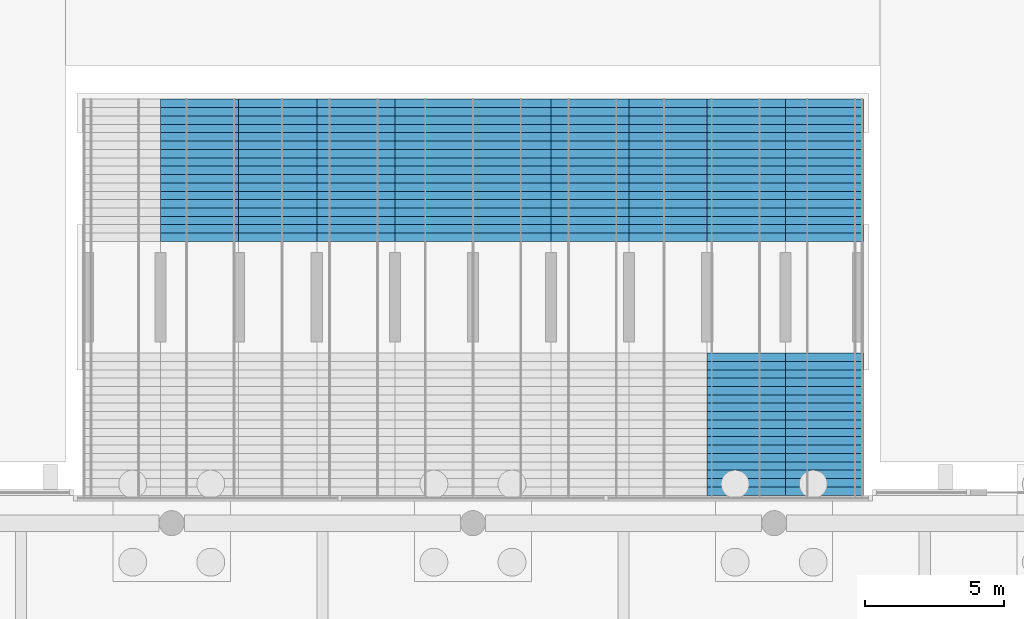
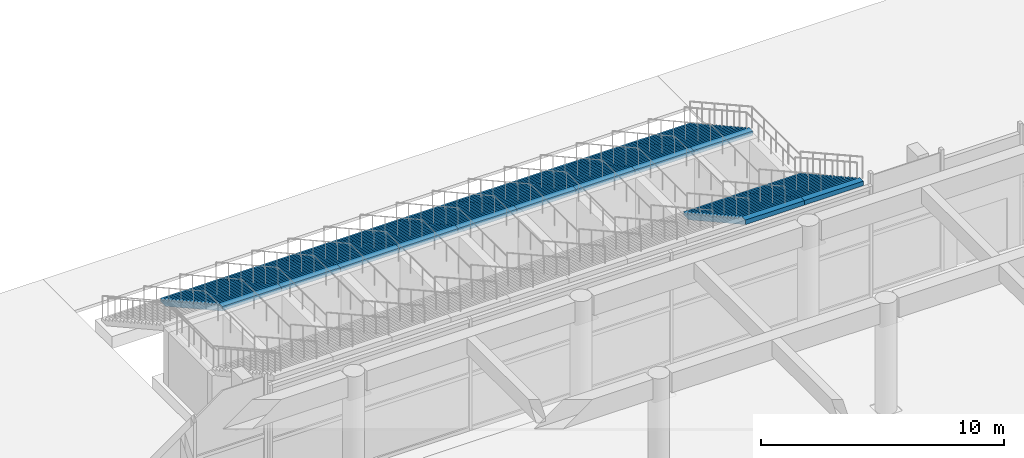
# One storey, part 24 of 32: 11 stair flights, 9 elements without a shape of their own.
"""IFC4 building model written with IfcOpenShell, lengths in metres."""

from ifc_helpers import new_model, si_unit, direction, frame, origin, place, context, subcontext, project, spatial, polyline, outline, extrude, material, type_object, element, aggregate, save


model = new_model("IFC4")

# Units and contexts
model_context = context("Model", 3, precision=1e-05, world=origin(), true_north=direction((0.0, 1.0)))
body_context = subcontext(model_context, "Body", "Model", "MODEL_VIEW")
ifc_project = project(units=[si_unit("LENGTHUNIT", "METRE"), si_unit("AREAUNIT", "SQUARE_METRE"), si_unit("VOLUMEUNIT", "CUBIC_METRE"), si_unit("PLANEANGLEUNIT", "RADIAN"), si_unit("MASSUNIT", "GRAM", prefix="KILO")], contexts=[model_context])

# Site, building, storey
site_placement = place(None, origin())
site = spatial("IfcSite", under=ifc_project, at=site_placement, CompositionType="ELEMENT")
building_placement = place(site_placement, origin())
building = spatial("IfcBuilding", under=site, at=building_placement, Name="Quipu Civic Tower", CompositionType="ELEMENT")
storey_placement = place(building_placement, origin())
storey = spatial("IfcBuildingStorey", under=building, at=storey_placement, Name="L00", CompositionType="ELEMENT", Elevation=0.0)

# Stair, stair flight
ifc_material_1 = material(Name="Concrete C40/50", Category="concrete")
stair_type = type_object("IfcStairType", Name="Broad stair 2800", PredefinedType="STRAIGHT_RUN_STAIR", material=ifc_material_1)
stair_1_placement = place(storey_placement, origin())
stair_1 = element("IfcStair", 1, at=stair_1_placement, inside=storey, type_object=stair_type, Name="Broad garden stair", PredefinedType="STRAIGHT_RUN_STAIR")
ifc_material_2 = material(Name="Concrete C40/50", Category="concrete")
stair_flight_type = type_object("IfcStairFlightType", Name="Broad stair flight 2800", PredefinedType="STRAIGHT", material=ifc_material_2)
stair_flight_1_placement = place(storey_placement, frame((-9.800048828125, 70.199951171875, 0.0), z_axis=(0.0, 0.0, 1.0), x_axis=(0.0, -1.0, 0.0)))
stair_flight_1 = element("IfcStairFlight", 2, at=stair_flight_1_placement, type_object=stair_flight_type, Name="BS2 flight 1", NumberOfRisers=18, NumberOfTreads=17, PredefinedType="STRAIGHT", RiserHeight=0.166666667, TreadLength=0.3, context=body_context, shape_type="SweptSolid", body=[
    extrude(outline(polyline([(0.0, 0.0), (0.0, 0.166748046875), (0.300048828125, 0.166748046875), (0.300048828125, 0.333251953125), (0.60009765625, 0.333251953125), (0.60009765625, 0.5), (0.89990234375, 0.5), (0.89990234375, 0.666748046875), (1.199951171875, 0.666748046875), (1.199951171875, 0.833251953125), (1.5, 0.833251953125), (1.5, 1.0), (1.800048828125, 1.0), (1.800048828125, 1.166748046875), (2.10009765625, 1.166748046875), (2.10009765625, 1.333251953125), (2.39990234375, 1.333251953125), (2.39990234375, 1.5), (2.699951171875, 1.5), (2.699951171875, 1.666748046875), (3.0, 1.666748046875), (3.0, 1.833251953125), (3.300048828125, 1.833251953125), (3.300048828125, 2.0), (3.60009765625, 2.0), (3.60009765625, 2.166748046875), (3.89990234375, 2.166748046875), (3.89990234375, 2.333251953125), (4.199951171875, 2.333251953125), (4.199951171875, 2.5), (4.5, 2.5), (4.5, 2.666748046875), (4.800048828125, 2.666748046875), (4.800048828125, 2.833251953125), (5.10009765625, 2.833251953125), (5.10009765625, 3.0), (5.10009765625, 2.6044921875), (0.41162109375, 0.0), (0.0, 0.0)])), frame((0.0, 1.39990234375, 0.0), z_axis=(0.0, -1.0, 0.0), x_axis=(1.0, 0.0, 0.0)), (0.0, 0.0, 1.0), 2.800048828125),
])
aggregate(stair_1, [stair_flight_1])

stair_2_placement = place(storey_placement, origin())
stair_2 = element("IfcStair", 3, at=stair_2_placement, inside=storey, type_object=stair_type, Name="Broad garden stair", PredefinedType="STRAIGHT_RUN_STAIR")
stair_flight_2_placement = place(storey_placement, frame((-7.0, 70.199951171875, 0.0), z_axis=(0.0, 0.0, 1.0), x_axis=(0.0, -1.0, 0.0)))
stair_flight_2 = element("IfcStairFlight", 4, at=stair_flight_2_placement, type_object=stair_flight_type, Name="BS3 flight 1", NumberOfRisers=18, NumberOfTreads=17, PredefinedType="STRAIGHT", RiserHeight=0.166666667, TreadLength=0.3, context=body_context, shape_type="SweptSolid", body=[
    extrude(outline(polyline([(0.0, 0.0), (0.0, 0.166748046875), (0.300048828125, 0.166748046875), (0.300048828125, 0.333251953125), (0.60009765625, 0.333251953125), (0.60009765625, 0.5), (0.89990234375, 0.5), (0.89990234375, 0.666748046875), (1.199951171875, 0.666748046875), (1.199951171875, 0.833251953125), (1.5, 0.833251953125), (1.5, 1.0), (1.800048828125, 1.0), (1.800048828125, 1.166748046875), (2.10009765625, 1.166748046875), (2.10009765625, 1.333251953125), (2.39990234375, 1.333251953125), (2.39990234375, 1.5), (2.699951171875, 1.5), (2.699951171875, 1.666748046875), (3.0, 1.666748046875), (3.0, 1.833251953125), (3.300048828125, 1.833251953125), (3.300048828125, 2.0), (3.60009765625, 2.0), (3.60009765625, 2.166748046875), (3.89990234375, 2.166748046875), (3.89990234375, 2.333251953125), (4.199951171875, 2.333251953125), (4.199951171875, 2.5), (4.5, 2.5), (4.5, 2.666748046875), (4.800048828125, 2.666748046875), (4.800048828125, 2.833251953125), (5.10009765625, 2.833251953125), (5.10009765625, 3.0), (5.10009765625, 2.6044921875), (0.41162109375, 0.0), (0.0, 0.0)])), frame((0.0, 1.39990234375, 0.0), z_axis=(0.0, -1.0, 0.0), x_axis=(1.0, 0.0, 0.0)), (0.0, 0.0, 1.0), 2.800048828125),
])
aggregate(stair_2, [stair_flight_2])

stair_3_placement = place(storey_placement, origin())
stair_3 = element("IfcStair", 5, at=stair_3_placement, inside=storey, type_object=stair_type, Name="Broad garden stair", PredefinedType="STRAIGHT_RUN_STAIR")
stair_flight_3_placement = place(storey_placement, frame((-4.199951171875, 70.199951171875, 0.0), z_axis=(0.0, 0.0, 1.0), x_axis=(0.0, -1.0, 0.0)))
stair_flight_3 = element("IfcStairFlight", 6, at=stair_flight_3_placement, type_object=stair_flight_type, Name="BS4 flight 1", NumberOfRisers=18, NumberOfTreads=17, PredefinedType="STRAIGHT", RiserHeight=0.166666667, TreadLength=0.3, context=body_context, shape_type="SweptSolid", body=[
    extrude(outline(polyline([(0.0, 0.0), (0.0, 0.166748046875), (0.300048828125, 0.166748046875), (0.300048828125, 0.333251953125), (0.60009765625, 0.333251953125), (0.60009765625, 0.5), (0.89990234375, 0.5), (0.89990234375, 0.666748046875), (1.199951171875, 0.666748046875), (1.199951171875, 0.833251953125), (1.5, 0.833251953125), (1.5, 1.0), (1.800048828125, 1.0), (1.800048828125, 1.166748046875), (2.10009765625, 1.166748046875), (2.10009765625, 1.333251953125), (2.39990234375, 1.333251953125), (2.39990234375, 1.5), (2.699951171875, 1.5), (2.699951171875, 1.666748046875), (3.0, 1.666748046875), (3.0, 1.833251953125), (3.300048828125, 1.833251953125), (3.300048828125, 2.0), (3.60009765625, 2.0), (3.60009765625, 2.166748046875), (3.89990234375, 2.166748046875), (3.89990234375, 2.333251953125), (4.199951171875, 2.333251953125), (4.199951171875, 2.5), (4.5, 2.5), (4.5, 2.666748046875), (4.800048828125, 2.666748046875), (4.800048828125, 2.833251953125), (5.10009765625, 2.833251953125), (5.10009765625, 3.0), (5.10009765625, 2.6044921875), (0.41162109375, 0.0), (0.0, 0.0)])), frame((0.0, 1.39990234375, 0.0), z_axis=(0.0, -1.0, 0.0), x_axis=(1.0, 0.0, 0.0)), (0.0, 0.0, 1.0), 2.800048828125),
])
aggregate(stair_3, [stair_flight_3])

stair_4_placement = place(storey_placement, origin())
stair_4 = element("IfcStair", 7, at=stair_4_placement, inside=storey, type_object=stair_type, Name="Broad garden stair", PredefinedType="STRAIGHT_RUN_STAIR")
stair_flight_4_placement = place(storey_placement, frame((-1.39990234375, 70.199951171875, 0.0), z_axis=(0.0, 0.0, 1.0), x_axis=(0.0, -1.0, 0.0)))
stair_flight_4 = element("IfcStairFlight", 8, at=stair_flight_4_placement, type_object=stair_flight_type, Name="BS5 flight 1", NumberOfRisers=18, NumberOfTreads=17, PredefinedType="STRAIGHT", RiserHeight=0.166666667, TreadLength=0.3, context=body_context, shape_type="SweptSolid", body=[
    extrude(outline(polyline([(0.0, 0.0), (0.0, 0.166748046875), (0.300048828125, 0.166748046875), (0.300048828125, 0.333251953125), (0.60009765625, 0.333251953125), (0.60009765625, 0.5), (0.89990234375, 0.5), (0.89990234375, 0.666748046875), (1.199951171875, 0.666748046875), (1.199951171875, 0.833251953125), (1.5, 0.833251953125), (1.5, 1.0), (1.800048828125, 1.0), (1.800048828125, 1.166748046875), (2.10009765625, 1.166748046875), (2.10009765625, 1.333251953125), (2.39990234375, 1.333251953125), (2.39990234375, 1.5), (2.699951171875, 1.5), (2.699951171875, 1.666748046875), (3.0, 1.666748046875), (3.0, 1.833251953125), (3.300048828125, 1.833251953125), (3.300048828125, 2.0), (3.60009765625, 2.0), (3.60009765625, 2.166748046875), (3.89990234375, 2.166748046875), (3.89990234375, 2.333251953125), (4.199951171875, 2.333251953125), (4.199951171875, 2.5), (4.5, 2.5), (4.5, 2.666748046875), (4.800048828125, 2.666748046875), (4.800048828125, 2.833251953125), (5.10009765625, 2.833251953125), (5.10009765625, 3.0), (5.10009765625, 2.6044921875), (0.41162109375, 0.0), (0.0, 0.0)])), frame((0.0, 1.39990234375, 0.0), z_axis=(0.0, -1.0, 0.0), x_axis=(1.0, 0.0, 0.0)), (0.0, 0.0, 1.0), 2.800048828125),
])
aggregate(stair_4, [stair_flight_4])

stair_5_placement = place(storey_placement, origin())
stair_5 = element("IfcStair", 9, at=stair_5_placement, inside=storey, type_object=stair_type, Name="Broad garden stair", PredefinedType="STRAIGHT_RUN_STAIR")
stair_flight_5_placement = place(storey_placement, frame((1.39990234375, 70.199951171875, 0.0), z_axis=(0.0, 0.0, 1.0), x_axis=(0.0, -1.0, 0.0)))
stair_flight_5 = element("IfcStairFlight", 10, at=stair_flight_5_placement, type_object=stair_flight_type, Name="BS6 flight 1", NumberOfRisers=18, NumberOfTreads=17, PredefinedType="STRAIGHT", RiserHeight=0.166666667, TreadLength=0.3, context=body_context, shape_type="SweptSolid", body=[
    extrude(outline(polyline([(0.0, 0.0), (0.0, 0.166748046875), (0.300048828125, 0.166748046875), (0.300048828125, 0.333251953125), (0.60009765625, 0.333251953125), (0.60009765625, 0.5), (0.89990234375, 0.5), (0.89990234375, 0.666748046875), (1.199951171875, 0.666748046875), (1.199951171875, 0.833251953125), (1.5, 0.833251953125), (1.5, 1.0), (1.800048828125, 1.0), (1.800048828125, 1.166748046875), (2.10009765625, 1.166748046875), (2.10009765625, 1.333251953125), (2.39990234375, 1.333251953125), (2.39990234375, 1.5), (2.699951171875, 1.5), (2.699951171875, 1.666748046875), (3.0, 1.666748046875), (3.0, 1.833251953125), (3.300048828125, 1.833251953125), (3.300048828125, 2.0), (3.60009765625, 2.0), (3.60009765625, 2.166748046875), (3.89990234375, 2.166748046875), (3.89990234375, 2.333251953125), (4.199951171875, 2.333251953125), (4.199951171875, 2.5), (4.5, 2.5), (4.5, 2.666748046875), (4.800048828125, 2.666748046875), (4.800048828125, 2.833251953125), (5.10009765625, 2.833251953125), (5.10009765625, 3.0), (5.10009765625, 2.6044921875), (0.41162109375, 0.0), (0.0, 0.0)])), frame((0.0, 1.39990234375, 0.0), z_axis=(0.0, -1.0, 0.0), x_axis=(1.0, 0.0, 0.0)), (0.0, 0.0, 1.0), 2.800048828125),
])
aggregate(stair_5, [stair_flight_5])

stair_6_placement = place(storey_placement, origin())
stair_6 = element("IfcStair", 11, at=stair_6_placement, inside=storey, type_object=stair_type, Name="Broad garden stair", PredefinedType="STRAIGHT_RUN_STAIR")
stair_flight_6_placement = place(storey_placement, frame((4.199951171875, 70.199951171875, 0.0), z_axis=(0.0, 0.0, 1.0), x_axis=(0.0, -1.0, 0.0)))
stair_flight_6 = element("IfcStairFlight", 12, at=stair_flight_6_placement, type_object=stair_flight_type, Name="BS7 flight 1", NumberOfRisers=18, NumberOfTreads=17, PredefinedType="STRAIGHT", RiserHeight=0.166666667, TreadLength=0.3, context=body_context, shape_type="SweptSolid", body=[
    extrude(outline(polyline([(0.0, 0.0), (0.0, 0.166748046875), (0.300048828125, 0.166748046875), (0.300048828125, 0.333251953125), (0.60009765625, 0.333251953125), (0.60009765625, 0.5), (0.89990234375, 0.5), (0.89990234375, 0.666748046875), (1.199951171875, 0.666748046875), (1.199951171875, 0.833251953125), (1.5, 0.833251953125), (1.5, 1.0), (1.800048828125, 1.0), (1.800048828125, 1.166748046875), (2.10009765625, 1.166748046875), (2.10009765625, 1.333251953125), (2.39990234375, 1.333251953125), (2.39990234375, 1.5), (2.699951171875, 1.5), (2.699951171875, 1.666748046875), (3.0, 1.666748046875), (3.0, 1.833251953125), (3.300048828125, 1.833251953125), (3.300048828125, 2.0), (3.60009765625, 2.0), (3.60009765625, 2.166748046875), (3.89990234375, 2.166748046875), (3.89990234375, 2.333251953125), (4.199951171875, 2.333251953125), (4.199951171875, 2.5), (4.5, 2.5), (4.5, 2.666748046875), (4.800048828125, 2.666748046875), (4.800048828125, 2.833251953125), (5.10009765625, 2.833251953125), (5.10009765625, 3.0), (5.10009765625, 2.6044921875), (0.41162109375, 0.0), (0.0, 0.0)])), frame((0.0, 1.39990234375, 0.0), z_axis=(0.0, -1.0, 0.0), x_axis=(1.0, 0.0, 0.0)), (0.0, 0.0, 1.0), 2.800048828125),
])
aggregate(stair_6, [stair_flight_6])

stair_7_placement = place(storey_placement, origin())
stair_7 = element("IfcStair", 13, at=stair_7_placement, inside=storey, type_object=stair_type, Name="Broad garden stair", PredefinedType="STRAIGHT_RUN_STAIR")
stair_flight_7_placement = place(storey_placement, frame((7.0, 70.199951171875, 0.0), z_axis=(0.0, 0.0, 1.0), x_axis=(0.0, -1.0, 0.0)))
stair_flight_7 = element("IfcStairFlight", 14, at=stair_flight_7_placement, type_object=stair_flight_type, Name="BS8 flight 1", NumberOfRisers=18, NumberOfTreads=17, PredefinedType="STRAIGHT", RiserHeight=0.166666667, TreadLength=0.3, context=body_context, shape_type="SweptSolid", body=[
    extrude(outline(polyline([(0.0, 0.0), (0.0, 0.166748046875), (0.300048828125, 0.166748046875), (0.300048828125, 0.333251953125), (0.60009765625, 0.333251953125), (0.60009765625, 0.5), (0.89990234375, 0.5), (0.89990234375, 0.666748046875), (1.199951171875, 0.666748046875), (1.199951171875, 0.833251953125), (1.5, 0.833251953125), (1.5, 1.0), (1.800048828125, 1.0), (1.800048828125, 1.166748046875), (2.10009765625, 1.166748046875), (2.10009765625, 1.333251953125), (2.39990234375, 1.333251953125), (2.39990234375, 1.5), (2.699951171875, 1.5), (2.699951171875, 1.666748046875), (3.0, 1.666748046875), (3.0, 1.833251953125), (3.300048828125, 1.833251953125), (3.300048828125, 2.0), (3.60009765625, 2.0), (3.60009765625, 2.166748046875), (3.89990234375, 2.166748046875), (3.89990234375, 2.333251953125), (4.199951171875, 2.333251953125), (4.199951171875, 2.5), (4.5, 2.5), (4.5, 2.666748046875), (4.800048828125, 2.666748046875), (4.800048828125, 2.833251953125), (5.10009765625, 2.833251953125), (5.10009765625, 3.0), (5.10009765625, 2.6044921875), (0.41162109375, 0.0), (0.0, 0.0)])), frame((0.0, 1.39990234375, 0.0), z_axis=(0.0, -1.0, 0.0), x_axis=(1.0, 0.0, 0.0)), (0.0, 0.0, 1.0), 2.800048828125),
])
aggregate(stair_7, [stair_flight_7])

# Stair, stair flights
stair_8_placement = place(storey_placement, origin())
stair_8 = element("IfcStair", 15, at=stair_8_placement, inside=storey, type_object=stair_type, Name="Broad garden stair", PredefinedType="STRAIGHT_RUN_STAIR")
stair_flight_8_placement = place(storey_placement, frame((9.800048828125, 70.199951171875, 0.0), z_axis=(0.0, 0.0, 1.0), x_axis=(0.0, -1.0, 0.0)))
stair_flight_8 = element("IfcStairFlight", 16, at=stair_flight_8_placement, type_object=stair_flight_type, Name="BS9 flight 1", NumberOfRisers=18, NumberOfTreads=17, PredefinedType="STRAIGHT", RiserHeight=0.166666667, TreadLength=0.3, context=body_context, shape_type="SweptSolid", body=[
    extrude(outline(polyline([(0.0, 0.0), (0.0, 0.166748046875), (0.300048828125, 0.166748046875), (0.300048828125, 0.333251953125), (0.60009765625, 0.333251953125), (0.60009765625, 0.5), (0.89990234375, 0.5), (0.89990234375, 0.666748046875), (1.199951171875, 0.666748046875), (1.199951171875, 0.833251953125), (1.5, 0.833251953125), (1.5, 1.0), (1.800048828125, 1.0), (1.800048828125, 1.166748046875), (2.10009765625, 1.166748046875), (2.10009765625, 1.333251953125), (2.39990234375, 1.333251953125), (2.39990234375, 1.5), (2.699951171875, 1.5), (2.699951171875, 1.666748046875), (3.0, 1.666748046875), (3.0, 1.833251953125), (3.300048828125, 1.833251953125), (3.300048828125, 2.0), (3.60009765625, 2.0), (3.60009765625, 2.166748046875), (3.89990234375, 2.166748046875), (3.89990234375, 2.333251953125), (4.199951171875, 2.333251953125), (4.199951171875, 2.5), (4.5, 2.5), (4.5, 2.666748046875), (4.800048828125, 2.666748046875), (4.800048828125, 2.833251953125), (5.10009765625, 2.833251953125), (5.10009765625, 3.0), (5.10009765625, 2.6044921875), (0.41162109375, 0.0), (0.0, 0.0)])), frame((0.0, 1.39990234375, 0.0), z_axis=(0.0, -1.0, 0.0), x_axis=(1.0, 0.0, 0.0)), (0.0, 0.0, 1.0), 2.800048828125),
])
stair_flight_9_placement = place(storey_placement, frame((9.800048828125, 61.10009765625, 3.0), z_axis=(0.0, 0.0, 1.0), x_axis=(0.0, -1.0, 0.0)))
stair_flight_9 = element("IfcStairFlight", 17, at=stair_flight_9_placement, type_object=stair_flight_type, Name="BS9 flight 2", NumberOfRisers=18, NumberOfTreads=17, PredefinedType="STRAIGHT", RiserHeight=0.166666667, TreadLength=0.3, context=body_context, shape_type="SweptSolid", body=[
    extrude(outline(polyline([(0.0, 0.0), (0.0, 0.166748046875), (0.300048828125, 0.166748046875), (0.300048828125, 0.333251953125), (0.60009765625, 0.333251953125), (0.60009765625, 0.5), (0.89990234375, 0.5), (0.89990234375, 0.666748046875), (1.199951171875, 0.666748046875), (1.199951171875, 0.833251953125), (1.5, 0.833251953125), (1.5, 1.0), (1.800048828125, 1.0), (1.800048828125, 1.166748046875), (2.10009765625, 1.166748046875), (2.10009765625, 1.333251953125), (2.39990234375, 1.333251953125), (2.39990234375, 1.5), (2.699951171875, 1.5), (2.699951171875, 1.666748046875), (3.0, 1.666748046875), (3.0, 1.833251953125), (3.300048828125, 1.833251953125), (3.300048828125, 2.0), (3.60009765625, 2.0), (3.60009765625, 2.166748046875), (3.89990234375, 2.166748046875), (3.89990234375, 2.333251953125), (4.199951171875, 2.333251953125), (4.199951171875, 2.5), (4.5, 2.5), (4.5, 2.666748046875), (4.800048828125, 2.666748046875), (4.800048828125, 2.833251953125), (5.10009765625, 2.833251953125), (5.10009765625, 3.0), (5.10009765625, 2.6044921875), (0.41162109375, 0.0), (0.0, 0.0)])), frame((0.0, 1.39990234375, 0.0), z_axis=(0.0, -1.0, 0.0), x_axis=(1.0, 0.0, 0.0)), (0.0, 0.0, 1.0), 2.800048828125),
])
aggregate(stair_8, [stair_flight_8, stair_flight_9])

stair_9_placement = place(storey_placement, origin())
stair_9 = element("IfcStair", 18, at=stair_9_placement, inside=storey, type_object=stair_type, Name="Broad garden stair", PredefinedType="STRAIGHT_RUN_STAIR")
stair_flight_10_placement = place(storey_placement, frame((12.60009765625, 70.199951171875, 0.0), z_axis=(0.0, 0.0, 1.0), x_axis=(0.0, -1.0, 0.0)))
stair_flight_10 = element("IfcStairFlight", 19, at=stair_flight_10_placement, type_object=stair_flight_type, Name="BS10 flight 1", NumberOfRisers=18, NumberOfTreads=17, PredefinedType="STRAIGHT", RiserHeight=0.166666667, TreadLength=0.3, context=body_context, shape_type="SweptSolid", body=[
    extrude(outline(polyline([(0.0, 0.0), (0.0, 0.166748046875), (0.300048828125, 0.166748046875), (0.300048828125, 0.333251953125), (0.60009765625, 0.333251953125), (0.60009765625, 0.5), (0.89990234375, 0.5), (0.89990234375, 0.666748046875), (1.199951171875, 0.666748046875), (1.199951171875, 0.833251953125), (1.5, 0.833251953125), (1.5, 1.0), (1.800048828125, 1.0), (1.800048828125, 1.166748046875), (2.10009765625, 1.166748046875), (2.10009765625, 1.333251953125), (2.39990234375, 1.333251953125), (2.39990234375, 1.5), (2.699951171875, 1.5), (2.699951171875, 1.666748046875), (3.0, 1.666748046875), (3.0, 1.833251953125), (3.300048828125, 1.833251953125), (3.300048828125, 2.0), (3.60009765625, 2.0), (3.60009765625, 2.166748046875), (3.89990234375, 2.166748046875), (3.89990234375, 2.333251953125), (4.199951171875, 2.333251953125), (4.199951171875, 2.5), (4.5, 2.5), (4.5, 2.666748046875), (4.800048828125, 2.666748046875), (4.800048828125, 2.833251953125), (5.10009765625, 2.833251953125), (5.10009765625, 3.0), (5.10009765625, 2.6044921875), (0.41162109375, 0.0), (0.0, 0.0)])), frame((0.0, 1.39990234375, 0.0), z_axis=(0.0, -1.0, 0.0), x_axis=(1.0, 0.0, 0.0)), (0.0, 0.0, 1.0), 2.800048828125),
])
stair_flight_11_placement = place(storey_placement, frame((12.60009765625, 61.10009765625, 3.0), z_axis=(0.0, 0.0, 1.0), x_axis=(0.0, -1.0, 0.0)))
stair_flight_11 = element("IfcStairFlight", 20, at=stair_flight_11_placement, type_object=stair_flight_type, Name="BS10 flight 2", NumberOfRisers=18, NumberOfTreads=17, PredefinedType="STRAIGHT", RiserHeight=0.166666667, TreadLength=0.3, context=body_context, shape_type="SweptSolid", body=[
    extrude(outline(polyline([(0.0, 0.0), (0.0, 0.166748046875), (0.300048828125, 0.166748046875), (0.300048828125, 0.333251953125), (0.60009765625, 0.333251953125), (0.60009765625, 0.5), (0.89990234375, 0.5), (0.89990234375, 0.666748046875), (1.199951171875, 0.666748046875), (1.199951171875, 0.833251953125), (1.5, 0.833251953125), (1.5, 1.0), (1.800048828125, 1.0), (1.800048828125, 1.166748046875), (2.10009765625, 1.166748046875), (2.10009765625, 1.333251953125), (2.39990234375, 1.333251953125), (2.39990234375, 1.5), (2.699951171875, 1.5), (2.699951171875, 1.666748046875), (3.0, 1.666748046875), (3.0, 1.833251953125), (3.300048828125, 1.833251953125), (3.300048828125, 2.0), (3.60009765625, 2.0), (3.60009765625, 2.166748046875), (3.89990234375, 2.166748046875), (3.89990234375, 2.333251953125), (4.199951171875, 2.333251953125), (4.199951171875, 2.5), (4.5, 2.5), (4.5, 2.666748046875), (4.800048828125, 2.666748046875), (4.800048828125, 2.833251953125), (5.10009765625, 2.833251953125), (5.10009765625, 3.0), (5.10009765625, 2.6044921875), (0.41162109375, 0.0), (0.0, 0.0)])), frame((0.0, 1.39990234375, 0.0), z_axis=(0.0, -1.0, 0.0), x_axis=(1.0, 0.0, 0.0)), (0.0, 0.0, 1.0), 2.800048828125),
])
aggregate(stair_9, [stair_flight_10, stair_flight_11])

save(model, "model.ifc")
